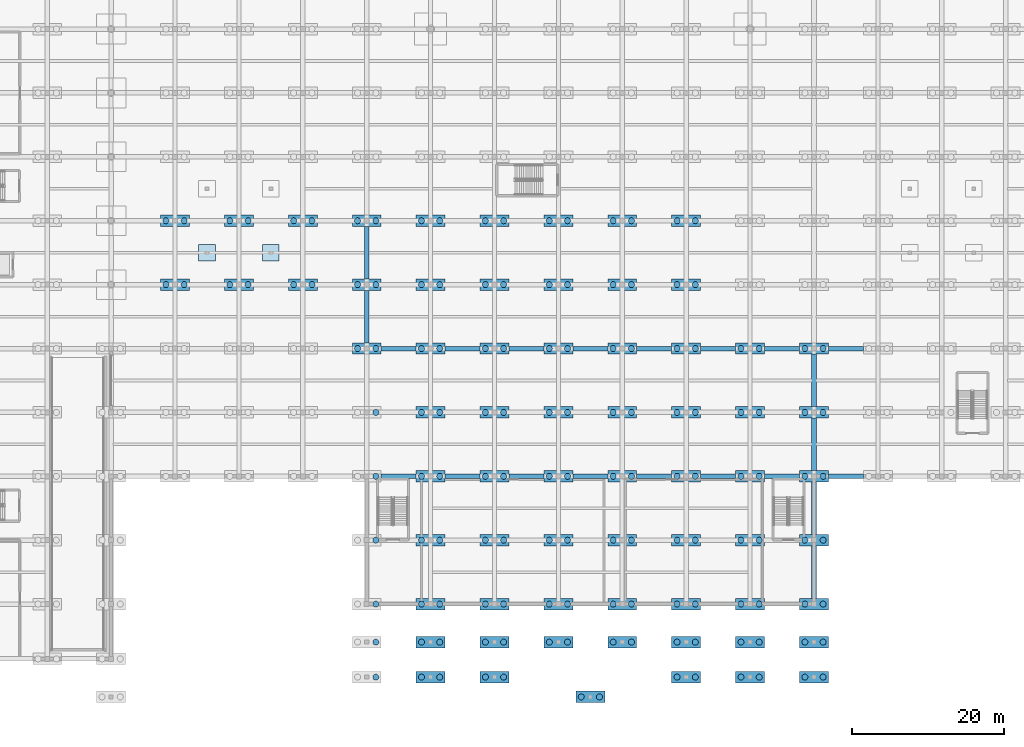
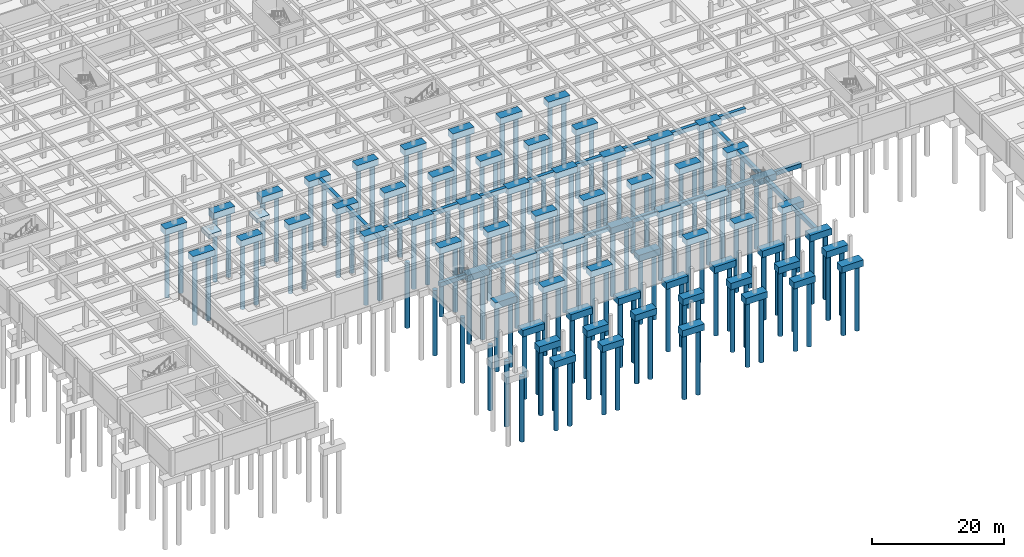
# One storey, part 2 of 51: 140 piles, 91 footings.
"""IFC4 building model written with IfcOpenShell, lengths in metres."""

from ifc_helpers import new_model, si_unit, direction, frame, origin, origin_2d, place, context, subcontext, project, spatial, rectangle, circle, extrude, material, material_profile, profile_set, type_object, element, save


model = new_model("IFC4")

# Units and contexts
model_context = context("Model", 3, precision=1e-05, world=origin(), true_north=direction((0.0, 1.0)))
body_context = subcontext(model_context, "Body", "Model", "MODEL_VIEW")
ifc_project = project(units=[si_unit("LENGTHUNIT", "METRE"), si_unit("AREAUNIT", "SQUARE_METRE"), si_unit("VOLUMEUNIT", "CUBIC_METRE"), si_unit("PLANEANGLEUNIT", "RADIAN"), si_unit("MASSUNIT", "GRAM", prefix="KILO")], contexts=[model_context])

# Site, building, storey
site_placement = place(None, origin())
site = spatial("IfcSite", under=ifc_project, at=site_placement, CompositionType="ELEMENT")
building_placement = place(site_placement, origin())
building = spatial("IfcBuilding", under=site, at=building_placement, Name="Varncliffe General Hospital", CompositionType="ELEMENT")
storey_placement = place(building_placement, frame((0.0, 0.0, -4.800048828125)))
storey = spatial("IfcBuildingStorey", under=building, at=storey_placement, Name="B1", CompositionType="ELEMENT", Elevation=-4.800048828125)

# Piles
ifc_material = material(Name="Concrete C40/50 (CSA A23.1 40 MPa)", Category="concrete")
ifc_material_profile = material_profile(ifc_material, circle(Radius=0.39990234375, at=origin_2d()), Name="BORED PILE 800")
ifc_profile_set = profile_set([ifc_material_profile], Name="Concrete C40/50 (CSA A23.1 40 MPa)")
pile_type = type_object("IfcPileType", Name="Bored Caisson Pile P13 (BORED PILE 800)", PredefinedType="BORED", material=ifc_profile_set)
for number, where, z_axis, x_axis, name in (
    (1, (87.0, -5.0, -1.050048828125), (0.0, 0.0, -1.0), (1.0, 0.0, 0.0), "B1 Bored Pile P13 (PC-B1-002-1)"),
    (2, (89.39990234375, -5.0, -1.050048828125), (0.0, 0.0, -1.0), (1.0, 0.0, 0.0), "B1 Bored Pile P13 (PC-B1-002-2)"),
    (3, (60.0, -2.39990234375, -1.050048828125), (0.0, 0.0, -1.0), (1.0, 0.0, 0.0), "B1 Bored Pile P13 (PC-B1-004-2)"),
    (4, (66.0, -2.39990234375, -1.050048828125), (0.0, 0.0, -1.0), (1.0, 0.0, 0.0), "B1 Bored Pile P13 (PC-B1-005-1)"),
    (5, (68.39990234375, -2.39990234375, -1.050048828125), (0.0, 0.0, -1.0), (1.0, 0.0, 0.0), "B1 Bored Pile P13 (PC-B1-005-2)"),
    (6, (74.39990234375, -2.39990234375, -1.050048828125), (0.0, 0.0, -1.0), (1.0, 0.0, 0.0), "B1 Bored Pile P13 (PC-B1-006-1)"),
    (7, (76.800048828125, -2.39990234375, -1.050048828125), (0.0, 0.0, -1.0), (1.0, 0.0, 0.0), "B1 Bored Pile P13 (PC-B1-006-2)"),
    (8, (99.60009765625, -2.39990234375, -1.050048828125), (0.0, 0.0, -1.0), (1.0, 0.0, 0.0), "B1 Bored Pile P13 (PC-B1-007-1)"),
    (9, (102.0, -2.39990234375, -1.050048828125), (0.0, 0.0, -1.0), (1.0, 0.0, 0.0), "B1 Bored Pile P13 (PC-B1-007-2)"),
    (10, (108.0, -2.39990234375, -1.050048828125), (0.0, 0.0, -1.0), (1.0, 0.0, 0.0), "B1 Bored Pile P13 (PC-B1-008-1)"),
    (11, (110.39990234375, -2.39990234375, -1.050048828125), (0.0, 0.0, -1.0), (1.0, 0.0, 0.0), "B1 Bored Pile P13 (PC-B1-008-2)"),
    (12, (116.39990234375, -2.39990234375, -1.050048828125), (0.0, 0.0, -1.0), (1.0, 0.0, 0.0), "B1 Bored Pile P13 (PC-B1-009-1)"),
    (13, (118.800048828125, -2.39990234375, -1.050048828125), (0.0, 0.0, -1.0), (1.0, 0.0, 0.0), "B1 Bored Pile P13 (PC-B1-009-2)"),
    (14, (60.0, 2.199951171875, -1.050048828125), (0.0, 0.0, -1.0), (1.0, 0.0, 0.0), "B1 Bored Pile P13 (PC-B1-021-2)"),
    (15, (66.0, 2.199951171875, -1.050048828125), (0.0, 0.0, -1.0), (1.0, 0.0, 0.0), "B1 Bored Pile P13 (PC-B1-022-1)"),
    (16, (68.39990234375, 2.199951171875, -1.050048828125), (0.0, 0.0, -1.0), (1.0, 0.0, 0.0), "B1 Bored Pile P13 (PC-B1-022-2)"),
    (17, (74.39990234375, 2.199951171875, -1.050048828125), (0.0, 0.0, -1.0), (1.0, 0.0, 0.0), "B1 Bored Pile P13 (PC-B1-023-1)"),
    (18, (76.800048828125, 2.199951171875, -1.050048828125), (0.0, 0.0, -1.0), (1.0, 0.0, 0.0), "B1 Bored Pile P13 (PC-B1-023-2)"),
    (19, (82.800048828125, 2.199951171875, -1.050048828125), (0.0, 0.0, -1.0), (1.0, 0.0, 0.0), "B1 Bored Pile P13 (PC-B1-024-1)"),
    (20, (85.199951171875, 2.199951171875, -1.050048828125), (0.0, 0.0, -1.0), (1.0, 0.0, 0.0), "B1 Bored Pile P13 (PC-B1-024-2)"),
    (21, (91.199951171875, 2.199951171875, -1.050048828125), (0.0, 0.0, -1.0), (1.0, 0.0, 0.0), "B1 Bored Pile P13 (PC-B1-025-1)"),
    (22, (93.60009765625, 2.199951171875, -1.050048828125), (0.0, 0.0, -1.0), (1.0, 0.0, 0.0), "B1 Bored Pile P13 (PC-B1-025-2)"),
    (23, (99.60009765625, 2.199951171875, -1.050048828125), (0.0, 0.0, -1.0), (1.0, 0.0, 0.0), "B1 Bored Pile P13 (PC-B1-026-1)"),
    (24, (102.0, 2.199951171875, -1.050048828125), (0.0, 0.0, -1.0), (1.0, 0.0, 0.0), "B1 Bored Pile P13 (PC-B1-026-2)"),
    (25, (108.0, 2.199951171875, -1.050048828125), (0.0, 0.0, -1.0), (1.0, 0.0, 0.0), "B1 Bored Pile P13 (PC-B1-027-1)"),
    (26, (110.39990234375, 2.199951171875, -1.050048828125), (0.0, 0.0, -1.0), (1.0, 0.0, 0.0), "B1 Bored Pile P13 (PC-B1-027-2)"),
    (27, (116.39990234375, 2.199951171875, -1.050048828125), (0.0, 0.0, -1.0), (1.0, 0.0, 0.0), "B1 Bored Pile P13 (PC-B1-028-1)"),
    (28, (118.800048828125, 2.199951171875, -1.050048828125), (0.0, 0.0, -1.0), (1.0, 0.0, 0.0), "B1 Bored Pile P13 (PC-B1-028-2)"),
    (29, (60.0, 7.199951171875, -1.050048828125), (0.0, 0.0, -1.0), (1.0, 0.0, 0.0), "B1 Bored Pile P13 (PC-B1-034-2)"),
    (30, (66.0, 7.199951171875, -1.050048828125), (0.0, 0.0, -1.0), (1.0, 0.0, 0.0), "B1 Bored Pile P13 (PC-B1-035-1)"),
    (31, (68.39990234375, 7.199951171875, -1.050048828125), (0.0, 0.0, -1.0), (1.0, 0.0, 0.0), "B1 Bored Pile P13 (PC-B1-035-2)"),
    (32, (74.39990234375, 7.199951171875, -1.050048828125), (0.0, 0.0, -1.0), (1.0, 0.0, 0.0), "B1 Bored Pile P13 (PC-B1-036-1)"),
    (33, (76.800048828125, 7.199951171875, -1.050048828125), (0.0, 0.0, -1.0), (1.0, 0.0, 0.0), "B1 Bored Pile P13 (PC-B1-036-2)"),
    (34, (82.800048828125, 7.199951171875, -1.050048828125), (0.0, 0.0, -1.0), (1.0, 0.0, 0.0), "B1 Bored Pile P13 (PC-B1-037-1)"),
    (35, (85.199951171875, 7.199951171875, -1.050048828125), (0.0, 0.0, -1.0), (1.0, 0.0, 0.0), "B1 Bored Pile P13 (PC-B1-037-2)"),
    (36, (91.199951171875, 7.199951171875, -1.050048828125), (0.0, 0.0, -1.0), (1.0, 0.0, 0.0), "B1 Bored Pile P13 (PC-B1-038-1)"),
    (37, (93.60009765625, 7.199951171875, -1.050048828125), (0.0, 0.0, -1.0), (1.0, 0.0, 0.0), "B1 Bored Pile P13 (PC-B1-038-2)"),
    (38, (99.60009765625, 7.199951171875, -1.050048828125), (0.0, 0.0, -1.0), (1.0, 0.0, 0.0), "B1 Bored Pile P13 (PC-B1-039-1)"),
    (39, (102.0, 7.199951171875, -1.050048828125), (0.0, 0.0, -1.0), (1.0, 0.0, 0.0), "B1 Bored Pile P13 (PC-B1-039-2)"),
    (40, (108.0, 7.199951171875, -1.050048828125), (0.0, 0.0, -1.0), (1.0, 0.0, 0.0), "B1 Bored Pile P13 (PC-B1-040-1)"),
    (41, (110.39990234375, 7.199951171875, -1.050048828125), (0.0, 0.0, -1.0), (1.0, 0.0, 0.0), "B1 Bored Pile P13 (PC-B1-040-2)"),
    (42, (116.39990234375, 7.199951171875, -1.050048828125), (0.0, 0.0, -1.0), (1.0, 0.0, 0.0), "B1 Bored Pile P13 (PC-B1-041-1)"),
    (43, (118.800048828125, 7.199951171875, -1.050048828125), (0.0, 0.0, -1.0), (1.0, 0.0, 0.0), "B1 Bored Pile P13 (PC-B1-041-2)"),
    (44, (60.0, 15.60009765625, -1.050048828125), (0.0, 0.0, -1.0), (1.0, 0.0, 0.0), "B1 Bored Pile P13 (PC-B1-052-2)"),
    (45, (66.0, 15.60009765625, -1.050048828125), (0.0, 0.0, -1.0), (1.0, 0.0, 0.0), "B1 Bored Pile P13 (PC-B1-053-1)"),
    (46, (68.39990234375, 15.60009765625, -1.050048828125), (0.0, 0.0, -1.0), (1.0, 0.0, 0.0), "B1 Bored Pile P13 (PC-B1-053-2)"),
    (47, (74.39990234375, 15.60009765625, -1.050048828125), (0.0, 0.0, -1.0), (1.0, 0.0, 0.0), "B1 Bored Pile P13 (PC-B1-054-1)"),
    (48, (76.800048828125, 15.60009765625, -1.050048828125), (0.0, 0.0, -1.0), (1.0, 0.0, 0.0), "B1 Bored Pile P13 (PC-B1-054-2)"),
    (49, (82.800048828125, 15.60009765625, -1.050048828125), (0.0, 0.0, -1.0), (1.0, 0.0, 0.0), "B1 Bored Pile P13 (PC-B1-055-1)"),
    (50, (85.199951171875, 15.60009765625, -1.050048828125), (0.0, 0.0, -1.0), (1.0, 0.0, 0.0), "B1 Bored Pile P13 (PC-B1-055-2)"),
    (51, (91.199951171875, 15.60009765625, -1.050048828125), (0.0, 0.0, -1.0), (1.0, 0.0, 0.0), "B1 Bored Pile P13 (PC-B1-056-1)"),
    (52, (93.60009765625, 15.60009765625, -1.050048828125), (0.0, 0.0, -1.0), (1.0, 0.0, 0.0), "B1 Bored Pile P13 (PC-B1-056-2)"),
    (53, (99.60009765625, 15.60009765625, -1.050048828125), (0.0, 0.0, -1.0), (1.0, 0.0, 0.0), "B1 Bored Pile P13 (PC-B1-057-1)"),
    (54, (102.0, 15.60009765625, -1.050048828125), (0.0, 0.0, -1.0), (1.0, 0.0, 0.0), "B1 Bored Pile P13 (PC-B1-057-2)"),
    (55, (108.0, 15.60009765625, -1.050048828125), (0.0, 0.0, -1.0), (1.0, 0.0, 0.0), "B1 Bored Pile P13 (PC-B1-058-1)"),
    (56, (110.39990234375, 15.60009765625, -1.050048828125), (0.0, 0.0, -1.0), (1.0, 0.0, 0.0), "B1 Bored Pile P13 (PC-B1-058-2)"),
    (57, (116.39990234375, 15.60009765625, -1.050048828125), (0.0, 0.0, -1.0), (1.0, 0.0, 0.0), "B1 Bored Pile P13 (PC-B1-059-1)"),
    (58, (118.800048828125, 15.60009765625, -1.050048828125), (0.0, 0.0, -1.0), (1.0, 0.0, 0.0), "B1 Bored Pile P13 (PC-B1-059-2)"),
    (59, (60.0, 24.0, -1.050048828125), (0.0, 0.0, -1.0), (1.0, 0.0, 0.0), "B1 Bored Pile P13 (PC-B1-071-2)"),
    (60, (66.0, 24.0, -1.050048828125), (0.0, 0.0, -1.0), (1.0, 0.0, 0.0), "B1 Bored Pile P13 (PC-B1-072-1)"),
    (61, (68.39990234375, 24.0, -1.050048828125), (0.0, 0.0, -1.0), (1.0, 0.0, 0.0), "B1 Bored Pile P13 (PC-B1-072-2)"),
    (62, (74.39990234375, 24.0, -1.050048828125), (0.0, 0.0, -1.0), (1.0, 0.0, 0.0), "B1 Bored Pile P13 (PC-B1-073-1)"),
    (63, (76.800048828125, 24.0, -1.050048828125), (0.0, 0.0, -1.0), (1.0, 0.0, 0.0), "B1 Bored Pile P13 (PC-B1-073-2)"),
    (64, (82.800048828125, 24.0, -1.050048828125), (0.0, 0.0, -1.0), (1.0, 0.0, 0.0), "B1 Bored Pile P13 (PC-B1-074-1)"),
    (65, (85.199951171875, 24.0, -1.050048828125), (0.0, 0.0, -1.0), (1.0, 0.0, 0.0), "B1 Bored Pile P13 (PC-B1-074-2)"),
    (66, (91.199951171875, 24.0, -1.050048828125), (0.0, 0.0, -1.0), (1.0, 0.0, 0.0), "B1 Bored Pile P13 (PC-B1-075-1)"),
    (67, (93.60009765625, 24.0, -1.050048828125), (0.0, 0.0, -1.0), (1.0, 0.0, 0.0), "B1 Bored Pile P13 (PC-B1-075-2)"),
    (68, (99.60009765625, 24.0, -1.050048828125), (0.0, 0.0, -1.0), (1.0, 0.0, 0.0), "B1 Bored Pile P13 (PC-B1-076-1)"),
    (69, (102.0, 24.0, -1.050048828125), (0.0, 0.0, -1.0), (1.0, 0.0, 0.0), "B1 Bored Pile P13 (PC-B1-076-2)"),
    (70, (108.0, 24.0, -1.050048828125), (0.0, 0.0, -1.0), (1.0, 0.0, 0.0), "B1 Bored Pile P13 (PC-B1-077-1)"),
    (71, (110.39990234375, 24.0, -1.050048828125), (0.0, 0.0, -1.0), (1.0, 0.0, 0.0), "B1 Bored Pile P13 (PC-B1-077-2)"),
    (72, (116.39990234375, 24.0, -1.050048828125), (0.0, 0.0, -1.0), (1.0, 0.0, 0.0), "B1 Bored Pile P13 (PC-B1-078-1)"),
    (73, (118.800048828125, 24.0, -1.050048828125), (0.0, 0.0, -1.0), (1.0, 0.0, 0.0), "B1 Bored Pile P13 (PC-B1-078-2)"),
    (74, (60.0, 32.39990234375, -1.050048828125), (0.0, 0.0, -1.0), (1.0, 0.0, 0.0), "B1 Bored Pile P13 (PC-B1-095-2)"),
    (75, (66.0, 32.39990234375, -1.050048828125), (0.0, 0.0, -1.0), (1.0, 0.0, 0.0), "B1 Bored Pile P13 (PC-B1-096-1)"),
    (76, (68.39990234375, 32.39990234375, -1.050048828125), (0.0, 0.0, -1.0), (1.0, 0.0, 0.0), "B1 Bored Pile P13 (PC-B1-096-2)"),
    (77, (74.39990234375, 32.39990234375, -1.050048828125), (0.0, 0.0, -1.0), (1.0, 0.0, 0.0), "B1 Bored Pile P13 (PC-B1-097-1)"),
    (78, (76.800048828125, 32.39990234375, -1.050048828125), (0.0, 0.0, -1.0), (1.0, 0.0, 0.0), "B1 Bored Pile P13 (PC-B1-097-2)"),
    (79, (82.800048828125, 32.39990234375, -1.050048828125), (0.0, 0.0, -1.0), (1.0, 0.0, 0.0), "B1 Bored Pile P13 (PC-B1-098-1)"),
    (80, (85.199951171875, 32.39990234375, -1.050048828125), (0.0, 0.0, -1.0), (1.0, 0.0, 0.0), "B1 Bored Pile P13 (PC-B1-098-2)"),
    (81, (91.199951171875, 32.39990234375, -1.050048828125), (0.0, 0.0, -1.0), (1.0, 0.0, 0.0), "B1 Bored Pile P13 (PC-B1-099-1)"),
    (82, (93.60009765625, 32.39990234375, -1.050048828125), (0.0, 0.0, -1.0), (1.0, 0.0, 0.0), "B1 Bored Pile P13 (PC-B1-099-2)"),
    (83, (99.60009765625, 32.39990234375, -1.050048828125), (0.0, 0.0, -1.0), (1.0, 0.0, 0.0), "B1 Bored Pile P13 (PC-B1-100-1)"),
    (84, (102.0, 32.39990234375, -1.050048828125), (0.0, 0.0, -1.0), (1.0, 0.0, 0.0), "B1 Bored Pile P13 (PC-B1-100-2)"),
    (85, (108.0, 32.39990234375, -1.050048828125), (0.0, 0.0, -1.0), (1.0, 0.0, 0.0), "B1 Bored Pile P13 (PC-B1-101-1)"),
    (86, (110.39990234375, 32.39990234375, -1.050048828125), (0.0, 0.0, -1.0), (1.0, 0.0, 0.0), "B1 Bored Pile P13 (PC-B1-101-2)"),
    (87, (116.39990234375, 32.39990234375, -1.050048828125), (0.0, 0.0, -1.0), (1.0, 0.0, 0.0), "B1 Bored Pile P13 (PC-B1-102-1)"),
    (88, (118.800048828125, 32.39990234375, -1.050048828125), (0.0, 0.0, -1.0), (1.0, 0.0, 0.0), "B1 Bored Pile P13 (PC-B1-102-2)"),
    (89, (57.60009765625, 40.800048828125, -1.050048828125), (0.0, 0.0, -1.0), (1.0, 0.0, 0.0), "B1 Bored Pile P13 (PC-B1-117-1)"),
    (90, (60.0, 40.800048828125, -1.050048828125), (0.0, 0.0, -1.0), (1.0, 0.0, 0.0), "B1 Bored Pile P13 (PC-B1-117-2)"),
    (91, (66.0, 40.800048828125, -1.050048828125), (0.0, 0.0, -1.0), (1.0, 0.0, 0.0), "B1 Bored Pile P13 (PC-B1-118-1)"),
    (92, (68.39990234375, 40.800048828125, -1.050048828125), (0.0, 0.0, -1.0), (1.0, 0.0, 0.0), "B1 Bored Pile P13 (PC-B1-118-2)"),
    (93, (74.39990234375, 40.800048828125, -1.050048828125), (0.0, 0.0, -1.0), (1.0, 0.0, 0.0), "B1 Bored Pile P13 (PC-B1-119-1)"),
    (94, (76.800048828125, 40.800048828125, -1.050048828125), (0.0, 0.0, -1.0), (1.0, 0.0, 0.0), "B1 Bored Pile P13 (PC-B1-119-2)"),
    (95, (82.800048828125, 40.800048828125, -1.050048828125), (0.0, 0.0, -1.0), (1.0, 0.0, 0.0), "B1 Bored Pile P13 (PC-B1-120-1)"),
    (96, (85.199951171875, 40.800048828125, -1.050048828125), (0.0, 0.0, -1.0), (1.0, 0.0, 0.0), "B1 Bored Pile P13 (PC-B1-120-2)"),
    (97, (91.199951171875, 40.800048828125, -1.050048828125), (0.0, 0.0, -1.0), (1.0, 0.0, 0.0), "B1 Bored Pile P13 (PC-B1-121-1)"),
    (98, (93.60009765625, 40.800048828125, -1.050048828125), (0.0, 0.0, -1.0), (1.0, 0.0, 0.0), "B1 Bored Pile P13 (PC-B1-121-2)"),
    (99, (99.60009765625, 40.800048828125, -1.050048828125), (0.0, 0.0, -1.0), (1.0, 0.0, 0.0), "B1 Bored Pile P13 (PC-B1-122-1)"),
    (100, (102.0, 40.800048828125, -1.050048828125), (0.0, 0.0, -1.0), (1.0, 0.0, 0.0), "B1 Bored Pile P13 (PC-B1-122-2)"),
    (101, (108.0, 40.800048828125, -1.050048828125), (0.0, 0.0, -1.0), (1.0, 0.0, 0.0), "B1 Bored Pile P13 (PC-B1-123-1)"),
    (102, (110.39990234375, 40.800048828125, -1.050048828125), (0.0, 0.0, -1.0), (1.0, 0.0, 0.0), "B1 Bored Pile P13 (PC-B1-123-2)"),
    (103, (116.39990234375, 40.800048828125, -1.050048828125), (0.0, 0.0, -1.0), (1.0, 0.0, 0.0), "B1 Bored Pile P13 (PC-B1-124-1)"),
    (104, (118.800048828125, 40.800048828125, -1.050048828125), (0.0, 0.0, -1.0), (1.0, 0.0, 0.0), "B1 Bored Pile P13 (PC-B1-124-2)"),
    (105, (32.39990234375, 49.199951171875, -1.050048828125), (0.0, 0.0, -1.0), (1.0, 0.0, 0.0), "B1 Bored Pile P13 (PC-B1-138-1)"),
    (106, (34.800048828125, 49.199951171875, -1.050048828125), (0.0, 0.0, -1.0), (1.0, 0.0, 0.0), "B1 Bored Pile P13 (PC-B1-138-2)"),
    (107, (40.800048828125, 49.199951171875, -1.050048828125), (0.0, 0.0, -1.0), (1.0, 0.0, 0.0), "B1 Bored Pile P13 (PC-B1-139-1)"),
    (108, (43.199951171875, 49.199951171875, -1.050048828125), (0.0, 0.0, -1.0), (1.0, 0.0, 0.0), "B1 Bored Pile P13 (PC-B1-139-2)"),
    (109, (49.199951171875, 49.199951171875, -1.050048828125), (0.0, 0.0, -1.0), (1.0, 0.0, 0.0), "B1 Bored Pile P13 (PC-B1-140-1)"),
    (110, (51.60009765625, 49.199951171875, -1.050048828125), (0.0, 0.0, -1.0), (1.0, 0.0, 0.0), "B1 Bored Pile P13 (PC-B1-140-2)"),
    (111, (57.60009765625, 49.199951171875, -1.050048828125), (0.0, 0.0, -1.0), (1.0, 0.0, 0.0), "B1 Bored Pile P13 (PC-B1-141-1)"),
    (112, (60.0, 49.199951171875, -1.050048828125), (0.0, 0.0, -1.0), (1.0, 0.0, 0.0), "B1 Bored Pile P13 (PC-B1-141-2)"),
    (113, (66.0, 49.199951171875, -1.050048828125), (0.0, 0.0, -1.0), (1.0, 0.0, 0.0), "B1 Bored Pile P13 (PC-B1-142-1)"),
    (114, (68.39990234375, 49.199951171875, -1.050048828125), (0.0, 0.0, -1.0), (1.0, 0.0, 0.0), "B1 Bored Pile P13 (PC-B1-142-2)"),
    (115, (74.39990234375, 49.199951171875, -1.050048828125), (0.0, 0.0, -1.0), (1.0, 0.0, 0.0), "B1 Bored Pile P13 (PC-B1-143-1)"),
    (116, (76.800048828125, 49.199951171875, -1.050048828125), (0.0, 0.0, -1.0), (1.0, 0.0, 0.0), "B1 Bored Pile P13 (PC-B1-143-2)"),
    (117, (82.800048828125, 49.199951171875, -1.050048828125), (0.0, 0.0, -1.0), (1.0, 0.0, 0.0), "B1 Bored Pile P13 (PC-B1-144-1)"),
    (118, (85.199951171875, 49.199951171875, -1.050048828125), (0.0, 0.0, -1.0), (1.0, 0.0, 0.0), "B1 Bored Pile P13 (PC-B1-144-2)"),
    (119, (91.199951171875, 49.199951171875, -1.050048828125), (0.0, 0.0, -1.0), (1.0, 0.0, 0.0), "B1 Bored Pile P13 (PC-B1-145-1)"),
    (120, (93.60009765625, 49.199951171875, -1.050048828125), (0.0, 0.0, -1.0), (1.0, 0.0, 0.0), "B1 Bored Pile P13 (PC-B1-145-2)"),
    (121, (99.60009765625, 49.199951171875, -1.050048828125), (0.0, 0.0, -1.0), (1.0, 0.0, 0.0), "B1 Bored Pile P13 (PC-B1-146-1)"),
    (122, (102.0, 49.199951171875, -1.050048828125), (0.0, 0.0, -1.0), (1.0, 0.0, 0.0), "B1 Bored Pile P13 (PC-B1-146-2)"),
    (123, (32.39990234375, 57.60009765625, -1.050048828125), (0.0, 0.0, -1.0), (1.0, 0.0, 0.0), "B1 Bored Pile P13 (PC-B1-160-1)"),
    (124, (34.800048828125, 57.60009765625, -1.050048828125), (0.0, 0.0, -1.0), (1.0, 0.0, 0.0), "B1 Bored Pile P13 (PC-B1-160-2)"),
    (125, (40.800048828125, 57.60009765625, -1.050048828125), (0.0, 0.0, -1.0), (1.0, 0.0, 0.0), "B1 Bored Pile P13 (PC-B1-161-1)"),
    (126, (43.199951171875, 57.60009765625, -1.050048828125), (0.0, 0.0, -1.0), (1.0, 0.0, 0.0), "B1 Bored Pile P13 (PC-B1-161-2)"),
    (127, (49.199951171875, 57.60009765625, -1.050048828125), (0.0, 0.0, -1.0), (1.0, 0.0, 0.0), "B1 Bored Pile P13 (PC-B1-162-1)"),
    (128, (51.60009765625, 57.60009765625, -1.050048828125), (0.0, 0.0, -1.0), (1.0, 0.0, 0.0), "B1 Bored Pile P13 (PC-B1-162-2)"),
    (129, (57.60009765625, 57.60009765625, -1.050048828125), (0.0, 0.0, -1.0), (1.0, 0.0, 0.0), "B1 Bored Pile P13 (PC-B1-163-1)"),
    (130, (60.0, 57.60009765625, -1.050048828125), (0.0, 0.0, -1.0), (1.0, 0.0, 0.0), "B1 Bored Pile P13 (PC-B1-163-2)"),
    (131, (66.0, 57.60009765625, -1.050048828125), (0.0, 0.0, -1.0), (1.0, 0.0, 0.0), "B1 Bored Pile P13 (PC-B1-164-1)"),
    (132, (68.39990234375, 57.60009765625, -1.050048828125), (0.0, 0.0, -1.0), (1.0, 0.0, 0.0), "B1 Bored Pile P13 (PC-B1-164-2)"),
    (133, (74.39990234375, 57.60009765625, -1.050048828125), (0.0, 0.0, -1.0), (1.0, 0.0, 0.0), "B1 Bored Pile P13 (PC-B1-165-1)"),
    (134, (76.800048828125, 57.60009765625, -1.050048828125), (0.0, 0.0, -1.0), (1.0, 0.0, 0.0), "B1 Bored Pile P13 (PC-B1-165-2)"),
    (135, (82.800048828125, 57.60009765625, -1.050048828125), (0.0, 0.0, -1.0), (1.0, 0.0, 0.0), "B1 Bored Pile P13 (PC-B1-166-1)"),
    (136, (85.199951171875, 57.60009765625, -1.050048828125), (0.0, 0.0, -1.0), (1.0, 0.0, 0.0), "B1 Bored Pile P13 (PC-B1-166-2)"),
    (137, (91.199951171875, 57.60009765625, -1.050048828125), (0.0, 0.0, -1.0), (1.0, 0.0, 0.0), "B1 Bored Pile P13 (PC-B1-167-1)"),
    (138, (93.60009765625, 57.60009765625, -1.050048828125), (0.0, 0.0, -1.0), (1.0, 0.0, 0.0), "B1 Bored Pile P13 (PC-B1-167-2)"),
    (139, (99.60009765625, 57.60009765625, -1.050048828125), (0.0, 0.0, -1.0), (1.0, 0.0, 0.0), "B1 Bored Pile P13 (PC-B1-168-1)"),
    (140, (102.0, 57.60009765625, -1.050048828125), (0.0, 0.0, -1.0), (1.0, 0.0, 0.0), "B1 Bored Pile P13 (PC-B1-168-2)"),
):
    element("IfcPile", number, at=place(storey_placement, frame(where, z_axis=z_axis, x_axis=x_axis)), inside=storey, type_object=pile_type, Name=name, PredefinedType="BORED", context=body_context, shape_type="SweptSolid", body=[
        extrude(circle(Radius=0.39990234375, at=origin_2d()), origin(), (0.0, 0.0, 1.0), 12.14990234375),
    ])

# Footings
footing_type_1 = type_object("IfcFootingType", Name="Pile Cap PC17 (3800x1500x1200)", PredefinedType="PILE_CAP", material=ifc_material)
for number, where, z_axis, x_axis, name in (
    (141, (88.199951171875, -5.0, -1.19970703125), (0.0, 0.0, 1.0), (1.0, 0.0, 0.0), "B1 Pile Cap PC17 #2"),
    (142, (67.199951171875, -2.39990234375, -1.19970703125), (0.0, 0.0, 1.0), (1.0, 0.0, 0.0), "B1 Pile Cap PC17 #5"),
    (143, (75.60009765625, -2.39990234375, -1.19970703125), (0.0, 0.0, 1.0), (1.0, 0.0, 0.0), "B1 Pile Cap PC17 #6"),
    (144, (100.800048828125, -2.39990234375, -1.19970703125), (0.0, 0.0, 1.0), (1.0, 0.0, 0.0), "B1 Pile Cap PC17 #7"),
    (145, (109.199951171875, -2.39990234375, -1.19970703125), (0.0, 0.0, 1.0), (1.0, 0.0, 0.0), "B1 Pile Cap PC17 #8"),
    (146, (117.60009765625, -2.39990234375, -1.19970703125), (0.0, 0.0, 1.0), (1.0, 0.0, 0.0), "B1 Pile Cap PC17 #9"),
    (147, (67.199951171875, 2.199951171875, -1.19970703125), (0.0, 0.0, 1.0), (1.0, 0.0, 0.0), "B1 Pile Cap PC17 #22"),
    (148, (75.60009765625, 2.199951171875, -1.19970703125), (0.0, 0.0, 1.0), (1.0, 0.0, 0.0), "B1 Pile Cap PC17 #23"),
    (149, (84.0, 2.199951171875, -1.19970703125), (0.0, 0.0, 1.0), (1.0, 0.0, 0.0), "B1 Pile Cap PC17 #24"),
    (150, (92.39990234375, 2.199951171875, -1.19970703125), (0.0, 0.0, 1.0), (1.0, 0.0, 0.0), "B1 Pile Cap PC17 #25"),
    (151, (100.800048828125, 2.199951171875, -1.19970703125), (0.0, 0.0, 1.0), (1.0, 0.0, 0.0), "B1 Pile Cap PC17 #26"),
    (152, (109.199951171875, 2.199951171875, -1.19970703125), (0.0, 0.0, 1.0), (1.0, 0.0, 0.0), "B1 Pile Cap PC17 #27"),
    (153, (117.60009765625, 2.199951171875, -1.19970703125), (0.0, 0.0, 1.0), (1.0, 0.0, 0.0), "B1 Pile Cap PC17 #28"),
    (154, (67.199951171875, 7.199951171875, -1.19970703125), (0.0, 0.0, 1.0), (1.0, 0.0, 0.0), "B1 Pile Cap PC17 #35"),
    (155, (75.60009765625, 7.199951171875, -1.19970703125), (0.0, 0.0, 1.0), (1.0, 0.0, 0.0), "B1 Pile Cap PC17 #36"),
    (156, (84.0, 7.199951171875, -1.19970703125), (0.0, 0.0, 1.0), (1.0, 0.0, 0.0), "B1 Pile Cap PC17 #37"),
    (157, (92.39990234375, 7.199951171875, -1.19970703125), (0.0, 0.0, 1.0), (1.0, 0.0, 0.0), "B1 Pile Cap PC17 #38"),
    (158, (100.800048828125, 7.199951171875, -1.19970703125), (0.0, 0.0, 1.0), (1.0, 0.0, 0.0), "B1 Pile Cap PC17 #39"),
    (159, (109.199951171875, 7.199951171875, -1.19970703125), (0.0, 0.0, 1.0), (1.0, 0.0, 0.0), "B1 Pile Cap PC17 #40"),
    (160, (117.60009765625, 7.199951171875, -1.19970703125), (0.0, 0.0, 1.0), (1.0, 0.0, 0.0), "B1 Pile Cap PC17 #41"),
    (161, (67.199951171875, 15.60009765625, -1.19970703125), (0.0, 0.0, 1.0), (1.0, 0.0, 0.0), "B1 Pile Cap PC17 #53"),
    (162, (75.60009765625, 15.60009765625, -1.19970703125), (0.0, 0.0, 1.0), (1.0, 0.0, 0.0), "B1 Pile Cap PC17 #54"),
    (163, (84.0, 15.60009765625, -1.19970703125), (0.0, 0.0, 1.0), (1.0, 0.0, 0.0), "B1 Pile Cap PC17 #55"),
    (164, (92.39990234375, 15.60009765625, -1.19970703125), (0.0, 0.0, 1.0), (1.0, 0.0, 0.0), "B1 Pile Cap PC17 #56"),
    (165, (100.800048828125, 15.60009765625, -1.19970703125), (0.0, 0.0, 1.0), (1.0, 0.0, 0.0), "B1 Pile Cap PC17 #57"),
    (166, (109.199951171875, 15.60009765625, -1.19970703125), (0.0, 0.0, 1.0), (1.0, 0.0, 0.0), "B1 Pile Cap PC17 #58"),
    (167, (117.60009765625, 15.60009765625, -1.19970703125), (0.0, 0.0, 1.0), (1.0, 0.0, 0.0), "B1 Pile Cap PC17 #59"),
    (168, (67.199951171875, 24.0, -1.19970703125), (0.0, 0.0, 1.0), (1.0, 0.0, 0.0), "B1 Pile Cap PC17 #72"),
    (169, (75.60009765625, 24.0, -1.19970703125), (0.0, 0.0, 1.0), (1.0, 0.0, 0.0), "B1 Pile Cap PC17 #73"),
    (170, (84.0, 24.0, -1.19970703125), (0.0, 0.0, 1.0), (1.0, 0.0, 0.0), "B1 Pile Cap PC17 #74"),
    (171, (92.39990234375, 24.0, -1.19970703125), (0.0, 0.0, 1.0), (1.0, 0.0, 0.0), "B1 Pile Cap PC17 #75"),
    (172, (100.800048828125, 24.0, -1.19970703125), (0.0, 0.0, 1.0), (1.0, 0.0, 0.0), "B1 Pile Cap PC17 #76"),
    (173, (109.199951171875, 24.0, -1.19970703125), (0.0, 0.0, 1.0), (1.0, 0.0, 0.0), "B1 Pile Cap PC17 #77"),
    (174, (117.60009765625, 24.0, -1.19970703125), (0.0, 0.0, 1.0), (1.0, 0.0, 0.0), "B1 Pile Cap PC17 #78"),
    (175, (67.199951171875, 32.39990234375, -1.19970703125), (0.0, 0.0, 1.0), (1.0, 0.0, 0.0), "B1 Pile Cap PC17 #96"),
    (176, (75.60009765625, 32.39990234375, -1.19970703125), (0.0, 0.0, 1.0), (1.0, 0.0, 0.0), "B1 Pile Cap PC17 #97"),
    (177, (84.0, 32.39990234375, -1.19970703125), (0.0, 0.0, 1.0), (1.0, 0.0, 0.0), "B1 Pile Cap PC17 #98"),
    (178, (92.39990234375, 32.39990234375, -1.19970703125), (0.0, 0.0, 1.0), (1.0, 0.0, 0.0), "B1 Pile Cap PC17 #99"),
    (179, (100.800048828125, 32.39990234375, -1.19970703125), (0.0, 0.0, 1.0), (1.0, 0.0, 0.0), "B1 Pile Cap PC17 #100"),
    (180, (109.199951171875, 32.39990234375, -1.19970703125), (0.0, 0.0, 1.0), (1.0, 0.0, 0.0), "B1 Pile Cap PC17 #101"),
    (181, (117.60009765625, 32.39990234375, -1.19970703125), (0.0, 0.0, 1.0), (1.0, 0.0, 0.0), "B1 Pile Cap PC17 #102"),
    (182, (58.800048828125, 40.800048828125, -1.19970703125), (0.0, 0.0, 1.0), (1.0, 0.0, 0.0), "B1 Pile Cap PC17 #117"),
    (183, (67.199951171875, 40.800048828125, -1.19970703125), (0.0, 0.0, 1.0), (1.0, 0.0, 0.0), "B1 Pile Cap PC17 #118"),
    (184, (75.60009765625, 40.800048828125, -1.19970703125), (0.0, 0.0, 1.0), (1.0, 0.0, 0.0), "B1 Pile Cap PC17 #119"),
    (185, (84.0, 40.800048828125, -1.19970703125), (0.0, 0.0, 1.0), (1.0, 0.0, 0.0), "B1 Pile Cap PC17 #120"),
    (186, (92.39990234375, 40.800048828125, -1.19970703125), (0.0, 0.0, 1.0), (1.0, 0.0, 0.0), "B1 Pile Cap PC17 #121"),
    (187, (100.800048828125, 40.800048828125, -1.19970703125), (0.0, 0.0, 1.0), (1.0, 0.0, 0.0), "B1 Pile Cap PC17 #122"),
    (188, (109.199951171875, 40.800048828125, -1.19970703125), (0.0, 0.0, 1.0), (1.0, 0.0, 0.0), "B1 Pile Cap PC17 #123"),
    (189, (117.60009765625, 40.800048828125, -1.19970703125), (0.0, 0.0, 1.0), (1.0, 0.0, 0.0), "B1 Pile Cap PC17 #124"),
    (190, (33.60009765625, 49.199951171875, -1.19970703125), (0.0, 0.0, 1.0), (1.0, 0.0, 0.0), "B1 Pile Cap PC17 #138"),
    (191, (42.0, 49.199951171875, -1.19970703125), (0.0, 0.0, 1.0), (1.0, 0.0, 0.0), "B1 Pile Cap PC17 #139"),
    (192, (50.39990234375, 49.199951171875, -1.19970703125), (0.0, 0.0, 1.0), (1.0, 0.0, 0.0), "B1 Pile Cap PC17 #140"),
    (193, (58.800048828125, 49.199951171875, -1.19970703125), (0.0, 0.0, 1.0), (1.0, 0.0, 0.0), "B1 Pile Cap PC17 #141"),
    (194, (67.199951171875, 49.199951171875, -1.19970703125), (0.0, 0.0, 1.0), (1.0, 0.0, 0.0), "B1 Pile Cap PC17 #142"),
    (195, (75.60009765625, 49.199951171875, -1.19970703125), (0.0, 0.0, 1.0), (1.0, 0.0, 0.0), "B1 Pile Cap PC17 #143"),
    (196, (84.0, 49.199951171875, -1.19970703125), (0.0, 0.0, 1.0), (1.0, 0.0, 0.0), "B1 Pile Cap PC17 #144"),
    (197, (92.39990234375, 49.199951171875, -1.19970703125), (0.0, 0.0, 1.0), (1.0, 0.0, 0.0), "B1 Pile Cap PC17 #145"),
    (198, (100.800048828125, 49.199951171875, -1.19970703125), (0.0, 0.0, 1.0), (1.0, 0.0, 0.0), "B1 Pile Cap PC17 #146"),
    (199, (33.60009765625, 57.60009765625, -1.19970703125), (0.0, 0.0, 1.0), (1.0, 0.0, 0.0), "B1 Pile Cap PC17 #160"),
    (200, (42.0, 57.60009765625, -1.19970703125), (0.0, 0.0, 1.0), (1.0, 0.0, 0.0), "B1 Pile Cap PC17 #161"),
    (201, (50.39990234375, 57.60009765625, -1.19970703125), (0.0, 0.0, 1.0), (1.0, 0.0, 0.0), "B1 Pile Cap PC17 #162"),
    (202, (58.800048828125, 57.60009765625, -1.19970703125), (0.0, 0.0, 1.0), (1.0, 0.0, 0.0), "B1 Pile Cap PC17 #163"),
    (203, (67.199951171875, 57.60009765625, -1.19970703125), (0.0, 0.0, 1.0), (1.0, 0.0, 0.0), "B1 Pile Cap PC17 #164"),
    (204, (75.60009765625, 57.60009765625, -1.19970703125), (0.0, 0.0, 1.0), (1.0, 0.0, 0.0), "B1 Pile Cap PC17 #165"),
    (205, (84.0, 57.60009765625, -1.19970703125), (0.0, 0.0, 1.0), (1.0, 0.0, 0.0), "B1 Pile Cap PC17 #166"),
    (206, (92.39990234375, 57.60009765625, -1.19970703125), (0.0, 0.0, 1.0), (1.0, 0.0, 0.0), "B1 Pile Cap PC17 #167"),
    (207, (100.800048828125, 57.60009765625, -1.19970703125), (0.0, 0.0, 1.0), (1.0, 0.0, 0.0), "B1 Pile Cap PC17 #168"),
):
    element("IfcFooting", number, at=place(storey_placement, frame(where, z_axis=z_axis, x_axis=x_axis)), inside=storey, type_object=footing_type_1, Name=name, PredefinedType="PILE_CAP", context=body_context, shape_type="SweptSolid", body=[
        extrude(rectangle(XDim=3.800048828125, YDim=1.5, at=origin_2d()), origin(), (0.0, 0.0, 1.0), 1.199951171875),
    ])
footing_type_2 = type_object("IfcFootingType", Name="Seismic Grade Tie Beam FB69 (600x800)", PredefinedType="FOOTING_BEAM", material=ifc_material)
for number, where, z_axis, x_axis, name in (
    (208, (63.0, 24.0, -0.7998046875), (0.0, 0.0, 1.0), (1.0, 0.0, 0.0), "B1 Seismic Footing Tie Beam FB69-17"),
    (209, (71.39990234375, 24.0, -0.7998046875), (0.0, 0.0, 1.0), (1.0, 0.0, 0.0), "B1 Seismic Footing Tie Beam FB69-18"),
    (210, (79.800048828125, 24.0, -0.7998046875), (0.0, 0.0, 1.0), (1.0, 0.0, 0.0), "B1 Seismic Footing Tie Beam FB69-19"),
    (211, (88.199951171875, 24.0, -0.7998046875), (0.0, 0.0, 1.0), (1.0, 0.0, 0.0), "B1 Seismic Footing Tie Beam FB69-20"),
    (212, (96.60009765625, 24.0, -0.7998046875), (0.0, 0.0, 1.0), (1.0, 0.0, 0.0), "B1 Seismic Footing Tie Beam FB69-21"),
    (213, (105.0, 24.0, -0.7998046875), (0.0, 0.0, 1.0), (1.0, 0.0, 0.0), "B1 Seismic Footing Tie Beam FB69-22"),
    (214, (113.39990234375, 24.0, -0.7998046875), (0.0, 0.0, 1.0), (1.0, 0.0, 0.0), "B1 Seismic Footing Tie Beam FB69-23"),
    (215, (121.800048828125, 24.0, -0.7998046875), (0.0, 0.0, 1.0), (1.0, 0.0, 0.0), "B1 Seismic Footing Tie Beam FB69-24"),
    (216, (63.0, 40.800048828125, -0.7998046875), (0.0, 0.0, 1.0), (1.0, 0.0, 0.0), "B1 Seismic Footing Tie Beam FB69-38"),
    (217, (71.39990234375, 40.800048828125, -0.7998046875), (0.0, 0.0, 1.0), (1.0, 0.0, 0.0), "B1 Seismic Footing Tie Beam FB69-39"),
    (218, (79.800048828125, 40.800048828125, -0.7998046875), (0.0, 0.0, 1.0), (1.0, 0.0, 0.0), "B1 Seismic Footing Tie Beam FB69-40"),
    (219, (88.199951171875, 40.800048828125, -0.7998046875), (0.0, 0.0, 1.0), (1.0, 0.0, 0.0), "B1 Seismic Footing Tie Beam FB69-41"),
    (220, (96.60009765625, 40.800048828125, -0.7998046875), (0.0, 0.0, 1.0), (1.0, 0.0, 0.0), "B1 Seismic Footing Tie Beam FB69-42"),
    (221, (105.0, 40.800048828125, -0.7998046875), (0.0, 0.0, 1.0), (1.0, 0.0, 0.0), "B1 Seismic Footing Tie Beam FB69-43"),
    (222, (113.39990234375, 40.800048828125, -0.7998046875), (0.0, 0.0, 1.0), (1.0, 0.0, 0.0), "B1 Seismic Footing Tie Beam FB69-44"),
    (223, (121.800048828125, 40.800048828125, -0.7998046875), (0.0, 0.0, 1.0), (1.0, 0.0, 0.0), "B1 Seismic Footing Tie Beam FB69-45"),
):
    element("IfcFooting", number, at=place(storey_placement, frame(where, z_axis=z_axis, x_axis=x_axis)), inside=storey, type_object=footing_type_2, Name=name, PredefinedType="FOOTING_BEAM", context=body_context, shape_type="SweptSolid", body=[
        extrude(rectangle(XDim=4.60009765625, YDim=0.60009765625, at=origin_2d()), origin(), (0.0, 0.0, 1.0), 0.800048828125),
    ])
for number, where, z_axis, x_axis, name in (
    (224, (58.800048828125, 45.0, -0.7998046875), (0.0, 0.0, 1.0), (1.0, 0.0, 0.0), "B1 Seismic Footing Tie Beam FB69-140"),
    (225, (58.800048828125, 53.39990234375, -0.7998046875), (0.0, 0.0, 1.0), (1.0, 0.0, 0.0), "B1 Seismic Footing Tie Beam FB69-141"),
    (226, (117.60009765625, 11.39990234375, -0.7998046875), (0.0, 0.0, 1.0), (1.0, 0.0, 0.0), "B1 Seismic Footing Tie Beam FB69-149"),
    (227, (117.60009765625, 19.800048828125, -0.7998046875), (0.0, 0.0, 1.0), (1.0, 0.0, 0.0), "B1 Seismic Footing Tie Beam FB69-150"),
    (228, (117.60009765625, 28.199951171875, -0.7998046875), (0.0, 0.0, 1.0), (1.0, 0.0, 0.0), "B1 Seismic Footing Tie Beam FB69-151"),
    (229, (117.60009765625, 36.60009765625, -0.7998046875), (0.0, 0.0, 1.0), (1.0, 0.0, 0.0), "B1 Seismic Footing Tie Beam FB69-152"),
):
    element("IfcFooting", number, at=place(storey_placement, frame(where, z_axis=z_axis, x_axis=x_axis)), inside=storey, type_object=footing_type_2, Name=name, PredefinedType="FOOTING_BEAM", context=body_context, shape_type="SweptSolid", body=[
        extrude(rectangle(XDim=0.60009765625, YDim=6.89990234375, at=origin_2d()), origin(), (0.0, 0.0, 1.0), 0.800048828125),
    ])
footing_type_3 = type_object("IfcFootingType", Name="Spread Pad Footing PF84 (2200x2200x800)", PredefinedType="PAD_FOOTING", material=ifc_material)
for number, where, z_axis, x_axis, name in (
    (230, (37.800048828125, 53.39990234375, -0.7998046875), (0.0, 0.0, 1.0), (1.0, 0.0, 0.0), "B1 Courtyard Colonnade Pad Footing PF84-1"),
    (231, (46.199951171875, 53.39990234375, -0.7998046875), (0.0, 0.0, 1.0), (1.0, 0.0, 0.0), "B1 Courtyard Colonnade Pad Footing PF84-2"),
):
    element("IfcFooting", number, at=place(storey_placement, frame(where, z_axis=z_axis, x_axis=x_axis)), inside=storey, type_object=footing_type_3, Name=name, PredefinedType="PAD_FOOTING", context=body_context, shape_type="SweptSolid", body=[
        extrude(rectangle(XDim=2.199951171875, YDim=2.199951171875, at=origin_2d()), origin(), (0.0, 0.0, 1.0), 0.800048828125),
    ])

save(model, "model.ifc")
